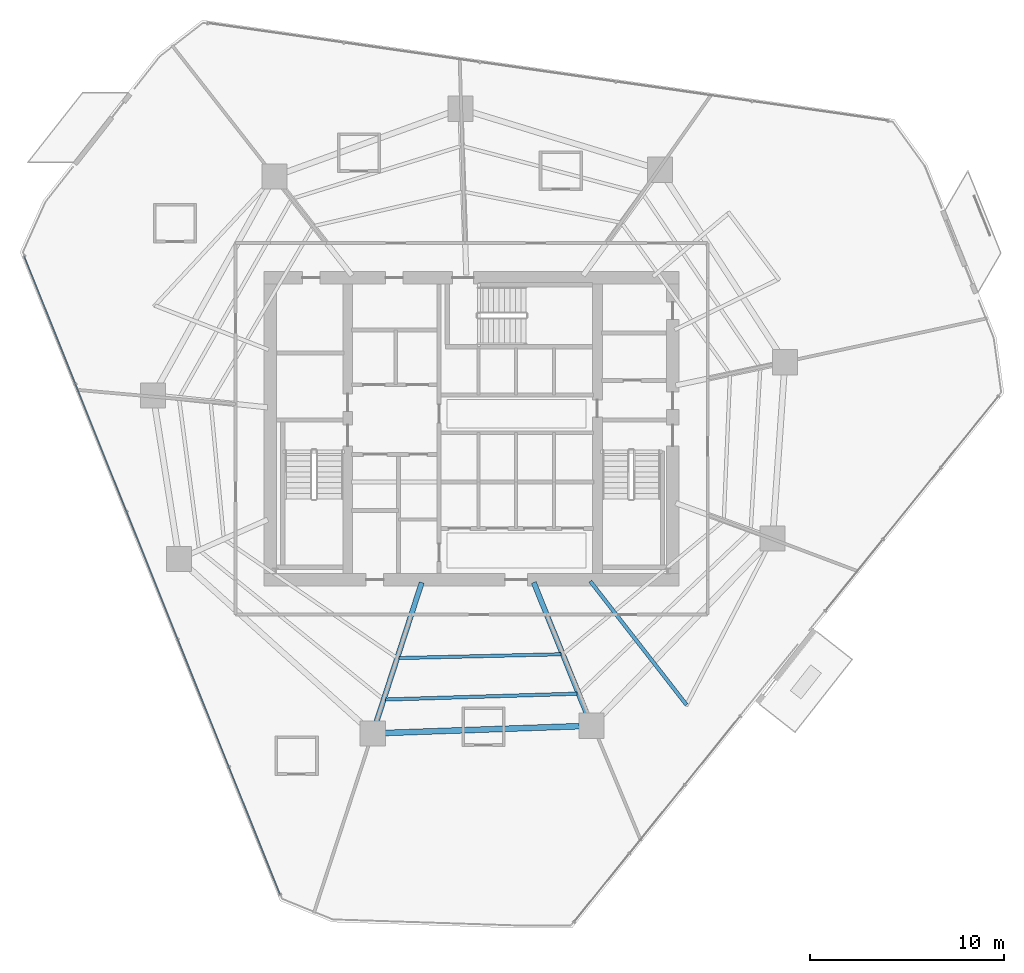
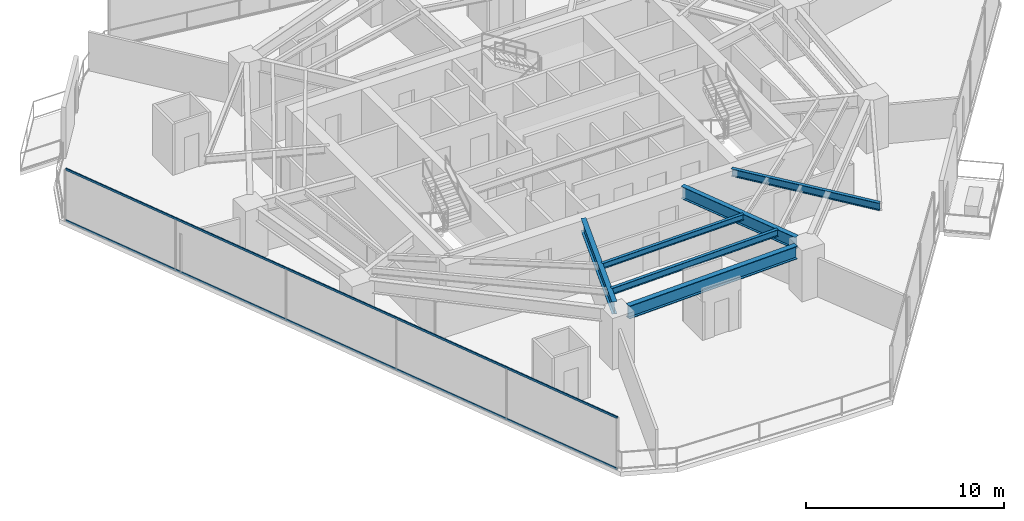
# One storey, part 6 of 32: 6 beams, 2 members, 1 element without a shape of its own.
"""IFC4 building model written with IfcOpenShell, lengths in metres."""

import ifcopenshell
import ifcopenshell.guid

model = None  # the IFC model being written
_history = None  # IfcOwnerHistory: only IFC2X3 demands one
_inside = {}  # id of a spatial element -> (the spatial element, [elements in it])
_under = {}  # id of a project, library or spatial element -> (it, [spatial elements below it])
_declared = {}  # id of a project -> (the project, [libraries it declares])
_typed = {}  # id of a type object -> (the type object, [elements of that type])
_made_of = {}  # id of a material, layer set ... -> (it, [elements and type objects made of it])


def new_model(schema):
    """Start an empty IFC model of exactly this schema.

    Asked for "IFC4X3", IfcOpenShell would pick the latest addendum, in which some entities
    have other attributes; the version numbers below select the first issue.
    IFC2X3 requires an IfcOwnerHistory on every rooted entity: one is made here for all.
    """
    global model, _history
    if schema == "IFC4X3":
        model = ifcopenshell.file(schema_version=(4, 3, 0, 0))
    else:
        model = ifcopenshell.file(schema=schema)
    _inside.clear()
    _under.clear()
    _declared.clear()
    _typed.clear()
    _made_of.clear()
    _history = None
    if model.schema == "IFC2X3":
        org = make("IfcOrganization", Name="unknown")
        user = make(
            "IfcPersonAndOrganization",
            ThePerson=make("IfcPerson", FamilyName="unknown"),
            TheOrganization=org,
        )
        app = make(
            "IfcApplication",
            ApplicationDeveloper=org,
            Version="unknown",
            ApplicationFullName="unknown",
            ApplicationIdentifier="unknown",
        )
        _history = make(
            "IfcOwnerHistory",
            OwningUser=user,
            OwningApplication=app,
            ChangeAction="ADDED",
            CreationDate=0,
        )
    return model


def make(cls, **values):
    """One entity of the class cls with the attributes given. An attribute that is None is left unset."""
    return model.create_entity(
        cls, **{name: value for name, value in values.items() if value is not None}
    )


def rooted(cls, **values):
    """An entity with a GlobalId (a new one), such as an element, a storey or a relation."""
    return make(cls, GlobalId=ifcopenshell.guid.new(), OwnerHistory=_history, **values)


def si_unit(unit_type, name, prefix=None):
    """IfcSIUnit, for example si_unit("LENGTHUNIT", "METRE", prefix="MILLI")."""
    return make("IfcSIUnit", UnitType=unit_type, Prefix=prefix, Name=name)


def assignment(units):
    """IfcUnitAssignment: the units of a project."""
    return None if units is None else make("IfcUnitAssignment", Units=units)


def point(xyz):
    """IfcCartesianPoint."""
    return None if xyz is None else make("IfcCartesianPoint", Coordinates=xyz)


def direction(xyz):
    """IfcDirection."""
    return None if xyz is None else make("IfcDirection", DirectionRatios=xyz)


def frame(location, z_axis=None, x_axis=None):
    """IfcAxis2Placement3D, a coordinate frame: its origin and axes. An axis left out is left unset."""
    return make(
        "IfcAxis2Placement3D",
        Location=point(location),
        Axis=direction(z_axis),
        RefDirection=direction(x_axis),
    )


def frame_2d(location, x_axis=None):
    """IfcAxis2Placement2D, a coordinate frame in the plane: its origin and x axis."""
    return make(
        "IfcAxis2Placement2D", Location=point(location), RefDirection=direction(x_axis)
    )


def origin():
    """The frame at (0, 0, 0) with its axes left unset."""
    return frame((0.0, 0.0, 0.0))


def origin_2d():
    """The frame at (0, 0) in the plane with its x axis left unset."""
    return frame_2d((0.0, 0.0))


def place(relative_to, where):
    """IfcLocalPlacement: puts the frame where relative to a parent placement (None: the world)."""
    return make(
        "IfcLocalPlacement", PlacementRelTo=relative_to, RelativePlacement=where
    )


def context(
    kind, dimensions, precision=None, world=None, true_north=None, identifier=None
):
    """IfcGeometricRepresentationContext, for example the 3D "Model" context."""
    return make(
        "IfcGeometricRepresentationContext",
        ContextIdentifier=identifier,
        ContextType=kind,
        CoordinateSpaceDimension=dimensions,
        Precision=precision,
        WorldCoordinateSystem=world,
        TrueNorth=true_north,
    )


def subcontext(parent, identifier, kind, view, scale=None):
    """IfcGeometricRepresentationSubContext, for example "Body" below "Model"."""
    return make(
        "IfcGeometricRepresentationSubContext",
        ContextIdentifier=identifier,
        ContextType=kind,
        ParentContext=parent,
        TargetScale=scale,
        TargetView=view,
    )


def project(units=None, contexts=None):
    """IfcProject with its units and contexts."""
    return rooted(
        "IfcProject",
        Name="project",
        RepresentationContexts=contexts,
        UnitsInContext=assignment(units),
    )


def spatial(cls, under=None, at=None, **own):
    """A site, building, storey or space (cls), placed at a placement, below another one or the project."""
    s = rooted(cls, ObjectPlacement=at, **own)
    if under is not None:
        _under.setdefault(under.id(), (under, []))[1].append(s)
    return s


def profile(cls, at=None, kind="AREA", **sizes):
    """A parametric profile (cls). Its sizes go by their IFC names, for example OverallWidth=200.0."""
    return make(cls, ProfileType=kind, Position=at, **sizes)


def hollow_rectangle(**sizes):
    """IfcRectangleHollowProfileDef."""
    return profile("IfcRectangleHollowProfileDef", **sizes)


def i_section(**sizes):
    """IfcIShapeProfileDef."""
    return profile("IfcIShapeProfileDef", **sizes)


def extrude(swept, where, along, depth):
    """IfcExtrudedAreaSolid: the profile swept, set in the frame where, extruded along a direction by depth."""
    return make(
        "IfcExtrudedAreaSolid",
        SweptArea=swept,
        Position=where,
        ExtrudedDirection=direction(along),
        Depth=depth,
    )


def shape(context_of_items, identifier, shape_type, items):
    """IfcShapeRepresentation: the items that make up one representation, for example the "Body"."""
    return make(
        "IfcShapeRepresentation",
        ContextOfItems=context_of_items,
        RepresentationIdentifier=identifier,
        RepresentationType=shape_type,
        Items=items,
    )


def material(Name=None, Category=None):
    """IfcMaterial."""
    return make("IfcMaterial", Name=Name, Category=Category)


def layer(
    of_material, thickness, ventilated=None, Name=None, Category=None, Priority=None
):
    """IfcMaterialLayer: one layer of a wall or slab, of a material (None: an air gap)."""
    return make(
        "IfcMaterialLayer",
        Material=of_material,
        LayerThickness=thickness,
        IsVentilated=ventilated,
        Name=Name,
        Category=Category,
        Priority=Priority,
    )


def layer_set(layers, Name=None):
    """IfcMaterialLayerSet."""
    return make("IfcMaterialLayerSet", MaterialLayers=layers, LayerSetName=Name)


def material_profile(
    of_material, cross_section, Name=None, Category=None, Priority=None
):
    """IfcMaterialProfile: a cross section and its material."""
    return make(
        "IfcMaterialProfile",
        Name=Name,
        Material=of_material,
        Profile=cross_section,
        Priority=Priority,
        Category=Category,
    )


def profile_set(profiles, Name=None, composite=None):
    """IfcMaterialProfileSet."""
    return make(
        "IfcMaterialProfileSet",
        Name=Name,
        MaterialProfiles=profiles,
        CompositeProfile=composite,
    )


def made_of(thing, what):
    """Note that an element or type object is made of a material, layer set ...; save() writes the relation."""
    if what is not None:
        _made_of.setdefault(what.id(), (what, []))[1].append(thing)
    return thing


def type_object(cls, material=None, **own):
    """A type object (cls), such as IfcWallType, which elements share."""
    return made_of(rooted(cls, **own), material)


def element(
    cls,
    number,
    at=None,
    inside=None,
    cuts=None,
    type_object=None,
    material=None,
    context=None,
    identifier="Body",
    shape_type=None,
    held_by="IfcProductDefinitionShape",
    body=None,
    shapes=None,
    **own,
):
    """One element of the class cls, such as IfcWall. Its Tag is "e" and its number.

    at: its placement. inside: the storey or other place that contains it. cuts: it is an
    opening in that element (IfcRelVoidsElement). A single representation is given by context,
    identifier, shape_type and body (its items); several are given by shapes. held_by: the class
    of the entity that holds the representations. save() writes the other relations.
    """
    e = rooted(cls, Tag="e%d" % number, ObjectPlacement=at, **own)
    if body is not None:
        shapes = [shape(context, identifier, shape_type, body)]
    if shapes is not None:
        e.Representation = make(held_by, Representations=shapes)
    if inside is not None:
        _inside.setdefault(inside.id(), (inside, []))[1].append(e)
    if cuts is not None:
        rooted(
            "IfcRelVoidsElement", RelatingBuildingElement=cuts, RelatedOpeningElement=e
        )
    if type_object is not None:
        _typed.setdefault(type_object.id(), (type_object, []))[1].append(e)
    return made_of(e, material)


def aggregate(whole, parts):
    """IfcRelAggregates: a whole, such as a stair, and the parts it consists of."""
    return rooted("IfcRelAggregates", RelatingObject=whole, RelatedObjects=parts)


def save(model, path):
    """Write the relations noted so far, then the file.

    IfcRelAggregates (storeys below a building ...), IfcRelContainedInSpatialStructure (elements
    in a storey), IfcRelDefinesByType, IfcRelAssociatesMaterial and IfcRelDeclares: one each for
    every whole, place, type object, material and project.
    """
    for whole, parts in _under.values():
        aggregate(whole, parts)
    for where, things in _inside.values():
        rooted(
            "IfcRelContainedInSpatialStructure",
            RelatedElements=things,
            RelatingStructure=where,
        )
    for kind, things in _typed.values():
        rooted("IfcRelDefinesByType", RelatedObjects=things, RelatingType=kind)
    for what, things in _made_of.values():
        rooted("IfcRelAssociatesMaterial", RelatedObjects=things, RelatingMaterial=what)
    for by, libraries in _declared.values():
        rooted("IfcRelDeclares", RelatingContext=by, RelatedDefinitions=libraries)
    model.write(path)


model = new_model("IFC4")

# Units and contexts
model_context = context("Model", 3, precision=1e-05, world=origin(), true_north=direction((0.0, 1.0)))
body_context = subcontext(model_context, "Body", "Model", "MODEL_VIEW")
ifc_project = project(units=[si_unit("LENGTHUNIT", "METRE"), si_unit("AREAUNIT", "SQUARE_METRE"), si_unit("VOLUMEUNIT", "CUBIC_METRE"), si_unit("PLANEANGLEUNIT", "RADIAN"), si_unit("MASSUNIT", "GRAM", prefix="KILO")], contexts=[model_context])

# Site, building, storey
site_placement = place(None, origin())
site = spatial("IfcSite", under=ifc_project, at=site_placement, CompositionType="ELEMENT")
building_placement = place(site_placement, origin())
building = spatial("IfcBuilding", under=site, at=building_placement, Name="Qarnah Convention Tower", CompositionType="ELEMENT")
storey_placement = place(building_placement, frame((0.0, 0.0, 37.35009765625)))
storey = spatial("IfcBuildingStorey", under=building, at=storey_placement, Name="L08", CompositionType="ELEMENT", Elevation=37.35009765625)

# Beams
ifc_material_1 = material(Name="Structural steel S355JR", Category="steel")
ifc_material_profile_1 = material_profile(ifc_material_1, i_section(OverallWidth=0.19189453125, OverallDepth=0.464111328125, WebThickness=0.010986328125, FlangeThickness=0.01806640625, at=origin_2d()), Name="W460X89")
ifc_profile_set_1 = profile_set([ifc_material_profile_1], Name="Structural steel S355JR")
beam_type_1 = type_object("IfcBeamType", Name="BM-CANT-W460A", PredefinedType="BEAM", material=ifc_profile_set_1)
beam_1_placement = place(storey_placement, frame((43.3310546875, 18.52099609375, 2.93798828125), z_axis=(0.61429570134, -0.789075909729, 0.0), x_axis=(0.789075909729, 0.61429570134, 0.0)))
element("IfcBeam", 1, at=beam_1_placement, inside=storey, type_object=beam_type_1, Name="L08 beam BM-L08-CNT-03-2", PredefinedType="BEAM", context=body_context, shape_type="SweptSolid", body=[
    extrude(i_section(OverallWidth=0.19189453125, OverallDepth=0.464111328125, WebThickness=0.010986328125, FlangeThickness=0.01806640625, at=origin_2d()), origin(), (0.0, 0.0, 1.0), 8.090576171875),
])
ifc_material_profile_2 = material_profile(ifc_material_1, i_section(OverallWidth=0.172119140625, OverallDepth=0.35595703125, WebThickness=0.007080078125, FlangeThickness=0.011962890625, at=origin_2d()), Name="W360X51")
ifc_profile_set_2 = profile_set([ifc_material_profile_2], Name="Structural steel S355JR")
beam_type_2 = type_object("IfcBeamType", Name="BM-JST-W360", PredefinedType="JOIST", material=ifc_profile_set_2)
beam_2_placement = place(storey_placement, frame((33.43994140625, 14.552978515625, 2.991943359375), z_axis=(0.999723467553, 0.023515705909, 0.0), x_axis=(-0.023515705909, 0.999723467553, 0.0)))
element("IfcBeam", 2, at=beam_2_placement, inside=storey, type_object=beam_type_2, Name="L08 joist BM-L08-IJST-07", PredefinedType="JOIST", context=body_context, shape_type="SweptSolid", body=[
    extrude(i_section(OverallWidth=0.172119140625, OverallDepth=0.35595703125, WebThickness=0.007080078125, FlangeThickness=0.011962890625, at=origin_2d()), origin(), (0.0, 0.0, 1.0), 8.378173828125),
])
ifc_material_profile_3 = material_profile(ifc_material_1, i_section(OverallWidth=0.177978515625, OverallDepth=0.407958984375, WebThickness=0.008056640625, FlangeThickness=0.012939453125, at=origin_2d()), Name="W410X60")
ifc_profile_set_3 = profile_set([ifc_material_profile_3], Name="Structural steel S355JR")
beam_type_3 = type_object("IfcBeamType", Name="BM-JST-W410", PredefinedType="JOIST", material=ifc_profile_set_3)
beam_3_placement = place(storey_placement, frame((32.743896484375, 12.409912109375, 2.9658203125), z_axis=(0.999534571563, 0.030506396867, 0.0), x_axis=(-0.030506396867, 0.999534571563, 0.0)))
element("IfcBeam", 3, at=beam_3_placement, inside=storey, type_object=beam_type_3, Name="L08 joist BM-L08-SJST-07", PredefinedType="JOIST", context=body_context, shape_type="SweptSolid", body=[
    extrude(i_section(OverallWidth=0.177978515625, OverallDepth=0.407958984375, WebThickness=0.008056640625, FlangeThickness=0.012939453125, at=origin_2d()), origin(), (0.0, 0.0, 1.0), 9.899658203125),
])
ifc_material_profile_4 = material_profile(ifc_material_1, i_section(OverallWidth=0.26806640625, OverallDepth=0.760009765625, WebThickness=0.014892578125, FlangeThickness=0.02197265625, at=origin_2d()), Name="W760X185")
ifc_profile_set_4 = profile_set([ifc_material_profile_4], Name="Structural steel S355JR")
beam_type_4 = type_object("IfcBeamType", Name="BM-RAD-W760", PredefinedType="BEAM", material=ifc_profile_set_4)
beam_4_placement = place(storey_placement, frame((34.6201171875, 18.45703125, 2.789794921875), z_axis=(-0.309057625925, -0.951043313345, 0.0), x_axis=(0.951043313345, -0.309057625925, 0.0)))
element("IfcBeam", 4, at=beam_4_placement, inside=storey, type_object=beam_type_4, Name="L08 beam BM-L08-RAD-07", PredefinedType="BEAM", context=body_context, shape_type="SweptSolid", body=[
    extrude(i_section(OverallWidth=0.26806640625, OverallDepth=0.760009765625, WebThickness=0.014892578125, FlangeThickness=0.02197265625, at=origin_2d()), origin(), (0.0, 0.0, 1.0), 7.568603515625),
])
beam_5_placement = place(storey_placement, frame((40.407958984375, 18.4609375, 2.789794921875), z_axis=(0.374586487969, -0.927191977441, 0.0), x_axis=(0.927191977441, 0.374586487969, 0.0)))
element("IfcBeam", 5, at=beam_5_placement, inside=storey, type_object=beam_type_4, Name="L08 beam BM-L08-RAD-08", PredefinedType="BEAM", context=body_context, shape_type="SweptSolid", body=[
    extrude(i_section(OverallWidth=0.26806640625, OverallDepth=0.760009765625, WebThickness=0.014892578125, FlangeThickness=0.02197265625, at=origin_2d()), origin(), (0.0, 0.0, 1.0), 7.357666015625),
])
ifc_material_profile_5 = material_profile(ifc_material_1, i_section(OverallWidth=0.300048828125, OverallDepth=0.800048828125, WebThickness=0.01806640625, FlangeThickness=0.032958984375, at=origin_2d()), Name="HEB800")
ifc_profile_set_5 = profile_set([ifc_material_profile_5], Name="Structural steel S355JR")
beam_type_5 = type_object("IfcBeamType", Name="BM-RING-HEB800", PredefinedType="BEAM", material=ifc_profile_set_5)
beam_6_placement = place(storey_placement, frame((32.72607421875, 10.681884765625, 2.77001953125), z_axis=(0.999388457365, 0.034967288783, 0.0), x_axis=(-0.034967288783, 0.999388457365, 0.0)))
element("IfcBeam", 6, at=beam_6_placement, inside=storey, type_object=beam_type_5, Name="L08 beam BM-L08-SPN-07", PredefinedType="BEAM", context=body_context, shape_type="SweptSolid", body=[
    extrude(i_section(OverallWidth=0.300048828125, OverallDepth=0.800048828125, WebThickness=0.01806640625, FlangeThickness=0.032958984375, at=origin_2d()), origin(), (0.0, 0.0, 1.0), 10.0400390625),
])

# Curtain wall, members
ifc_material_2 = material(Name="Tempered Low-E dark glass", Category="glass")
ifc_layer = layer(ifc_material_2, 0.16796875)
ifc_layer_set = layer_set([ifc_layer], Name="Tempered Low-E dark glass")
curtain_wall_type = type_object("IfcCurtainWallType", Name="CWS-01", PredefinedType="NOTDEFINED", material=ifc_layer_set)
curtain_wall_placement = place(storey_placement, origin())
curtain_wall = element("IfcCurtainWall", 7, at=curtain_wall_placement, inside=storey, type_object=curtain_wall_type, Name="L08 unitised curtain wall CW-L08-F1", PredefinedType="NOTDEFINED")
ifc_material_3 = material(Name="Black anodised aluminium", Category="aluminium")
ifc_material_profile_6 = material_profile(ifc_material_3, hollow_rectangle(XDim=0.06005859375, YDim=0.1298828125, WallThickness=0.00390625, at=origin_2d()), Name="TRN-60X130")
ifc_profile_set_6 = profile_set([ifc_material_profile_6], Name="Black anodised aluminium")
member_type = type_object("IfcMemberType", Name="TRN-T1", PredefinedType="USERDEFINED", material=ifc_profile_set_6)
member_1_placement = place(storey_placement, frame((27.298095703125, 2.3310546875, 0.0), z_axis=(-0.372019811177, 0.928224789634, 0.0), x_axis=(-0.928224789634, -0.372019811177, 0.0)))
member_1 = element("IfcMember", 8, at=member_1_placement, type_object=member_type, Name="CW-L08-F1 transom 1", ObjectType="TRANSOM", PredefinedType="USERDEFINED", context=body_context, shape_type="SweptSolid", body=[
    extrude(hollow_rectangle(XDim=0.06005859375, YDim=0.1298828125, WallThickness=0.00390625, at=origin_2d()), origin(), (0.0, 0.0, 1.0), 35.5224609375),
])
member_2_placement = place(storey_placement, frame((27.298095703125, 2.3310546875, 3.169921875), z_axis=(-0.372019811177, 0.928224789634, 0.0), x_axis=(-0.928224789634, -0.372019811177, 0.0)))
member_2 = element("IfcMember", 9, at=member_2_placement, type_object=member_type, Name="CW-L08-F1 transom 2", ObjectType="TRANSOM", PredefinedType="USERDEFINED", context=body_context, shape_type="SweptSolid", body=[
    extrude(hollow_rectangle(XDim=0.06005859375, YDim=0.1298828125, WallThickness=0.00390625, at=origin_2d()), origin(), (0.0, 0.0, 1.0), 35.5224609375),
])
aggregate(curtain_wall, [member_1, member_2])

save(model, "model.ifc")
